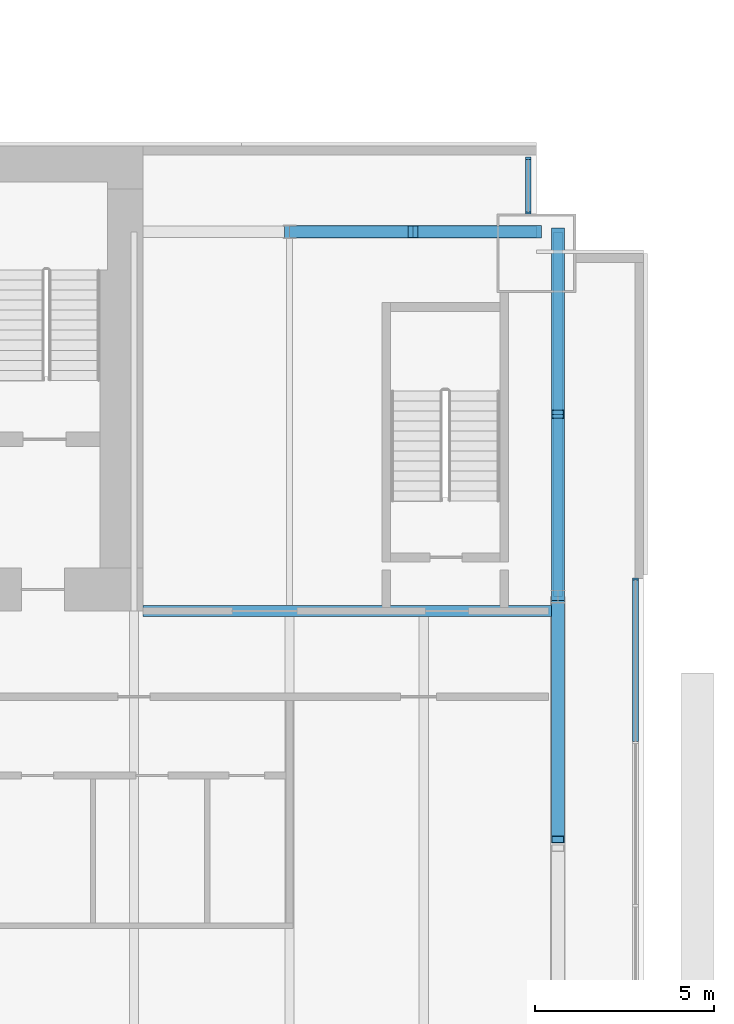
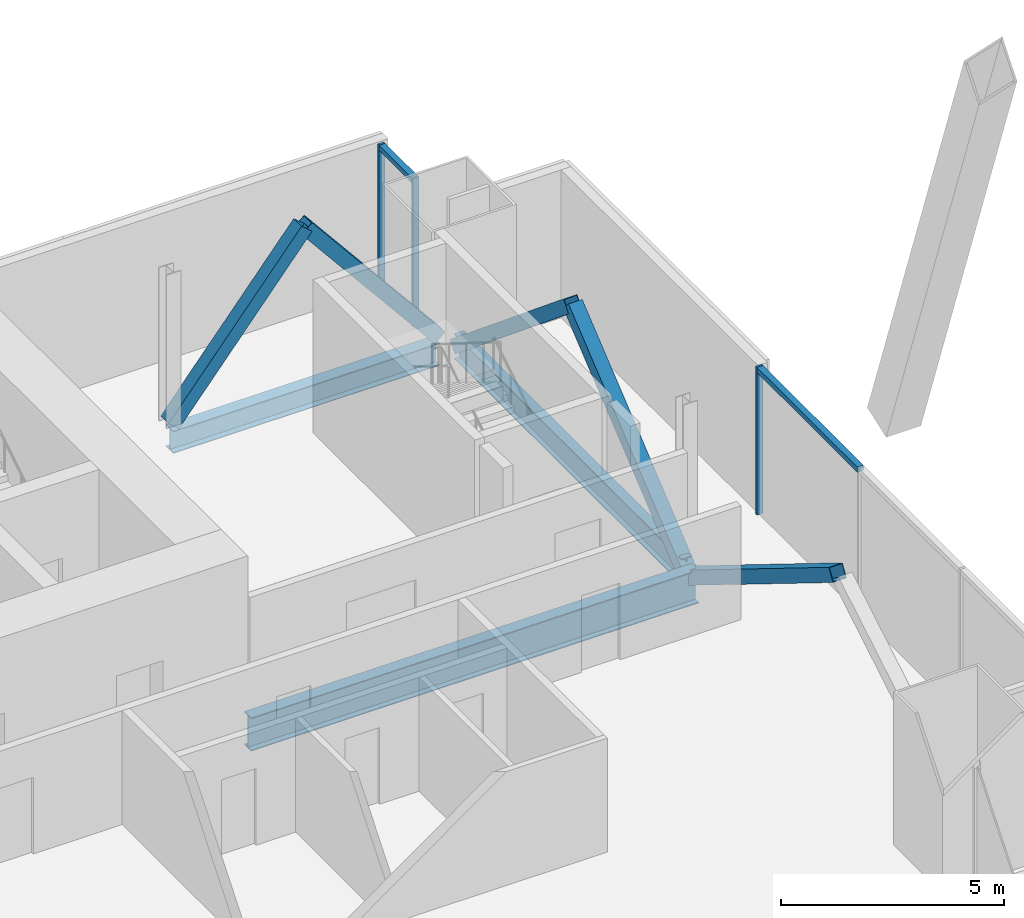
# One storey, part 15 of 23: 10 members, 3 beams, 2 elements without a shape of their own.
"""IFC4 building model written with IfcOpenShell, lengths in metres."""

from ifc_helpers import new_model, si_unit, direction, frame, origin, origin_2d, place, context, subcontext, project, spatial, rectangle, hollow_rectangle, i_section, extrude, material, material_profile, profile_set, type_object, element, aggregate, save


model = new_model("IFC4")

# Units and contexts
model_context = context("Model", 3, precision=1e-05, world=origin(), true_north=direction((0.0, 1.0)))
body_context = subcontext(model_context, "Body", "Model", "MODEL_VIEW")
ifc_project = project(units=[si_unit("LENGTHUNIT", "METRE"), si_unit("AREAUNIT", "SQUARE_METRE"), si_unit("VOLUMEUNIT", "CUBIC_METRE"), si_unit("PLANEANGLEUNIT", "RADIAN"), si_unit("MASSUNIT", "GRAM", prefix="KILO")], contexts=[model_context])

# Site, building, storey
site_placement = place(None, origin())
site = spatial("IfcSite", under=ifc_project, at=site_placement, CompositionType="ELEMENT")
building_placement = place(site_placement, origin())
building = spatial("IfcBuilding", under=site, at=building_placement, Name="Bicima Exchange Tower", CompositionType="ELEMENT")
storey_placement = place(building_placement, frame((0.0, 0.0, 262.39990234375)))
storey = spatial("IfcBuildingStorey", under=building, at=storey_placement, Name="L59", CompositionType="ELEMENT", Elevation=262.39990234375)

# Beam
ifc_material_1 = material(Name="Steel ASTM A992 Gr 50", Category="steel")
ifc_material_profile_1 = material_profile(ifc_material_1, i_section(OverallWidth=0.3046875, OverallDepth=0.911865234375, WebThickness=0.015869140625, FlangeThickness=0.02392578125, at=origin_2d()))
ifc_profile_set_1 = profile_set([ifc_material_profile_1], Name="Steel ASTM A992 Gr 50")
beam_type_1 = type_object("IfcBeamType", Name="Core-line girder W36x150", PredefinedType="BEAM", material=ifc_profile_set_1)
beam_1_placement = place(storey_placement, frame((22.0, -13.0, -0.605712890625), z_axis=(1.0, 0.0, 0.0), x_axis=(0.0, 1.0, 0.0)))
element("IfcBeam", 1, at=beam_1_placement, inside=storey, type_object=beam_type_1, Name="Core-line girder", PredefinedType="BEAM", context=body_context, shape_type="SweptSolid", body=[
    extrude(i_section(OverallWidth=0.3046875, OverallDepth=0.911865234375, WebThickness=0.015869140625, FlangeThickness=0.02392578125, at=origin_2d()), origin(), (0.0, 0.0, 1.0), 11.60009765625),
])

# Curtain wall, members
ifc_material_2 = material(Name="Anodised bronze aluminium", Category="aluminium")
curtain_wall_type_1 = type_object("IfcCurtainWallType", Name="End face glass wall", PredefinedType="NOTDEFINED", material=ifc_material_2)
curtain_wall_1_placement = place(storey_placement, origin())
curtain_wall_1 = element("IfcCurtainWall", 2, at=curtain_wall_1_placement, inside=storey, type_object=curtain_wall_type_1, Name="End face glass wall L59 run 19", PredefinedType="NOTDEFINED")
ifc_material_profile_2 = material_profile(ifc_material_2, rectangle(XDim=0.159912109375, YDim=0.06005859375, at=origin_2d()))
ifc_profile_set_2 = profile_set([ifc_material_profile_2], Name="Anodised bronze aluminium")
member_type_1 = type_object("IfcMemberType", Name="End face glass wall mullion 60 x 160", PredefinedType="MULLION", material=ifc_profile_set_2)
member_1_placement = place(storey_placement, frame((35.77001953125, -12.110107421875, 0.0), z_axis=(0.0, 0.0, 1.0), x_axis=(-1.0, 0.0, 0.0)))
member_1 = element("IfcMember", 3, at=member_1_placement, type_object=member_type_1, Name="End face glass wall mullion 4", PredefinedType="MULLION", context=body_context, shape_type="SweptSolid", body=[
    extrude(rectangle(XDim=0.159912109375, YDim=0.06005859375, at=origin_2d()), origin(), (0.0, 0.0, 1.0), 4.050048828125),
])
ifc_material_profile_3 = material_profile(ifc_material_2, rectangle(XDim=0.159912109375, YDim=0.139892578125, at=origin_2d()))
ifc_profile_set_3 = profile_set([ifc_material_profile_3], Name="Anodised bronze aluminium")
member_type_2 = type_object("IfcMemberType", Name="End face glass wall transom 140 x 160", PredefinedType="USERDEFINED", material=ifc_profile_set_3)
member_2_placement = place(storey_placement, frame((35.77001953125, -16.64599609375, 3.97998046875), z_axis=(0.0, 1.0, 0.0), x_axis=(-1.0, 0.0, 0.0)))
member_2 = element("IfcMember", 4, at=member_2_placement, type_object=member_type_2, Name="End face glass wall transom 3.1", ObjectType="TRANSOM", PredefinedType="USERDEFINED", context=body_context, shape_type="SweptSolid", body=[
    extrude(rectangle(XDim=0.159912109375, YDim=0.139892578125, at=origin_2d()), origin(), (0.0, 0.0, 1.0), 4.506103515625),
])
aggregate(curtain_wall_1, [member_1, member_2])

# Beam
ifc_material_profile_4 = material_profile(ifc_material_1, i_section(OverallWidth=0.256591796875, OverallDepth=0.693359375, WebThickness=0.014404296875, FlangeThickness=0.023681640625, at=origin_2d()))
ifc_profile_set_4 = profile_set([ifc_material_profile_4], Name="Steel ASTM A992 Gr 50")
beam_type_2 = type_object("IfcBeamType", Name="End girder W27x114", PredefinedType="BEAM", material=ifc_profile_set_4)
beam_2_placement = place(storey_placement, frame((33.60009765625, -2.39990234375, -0.49658203125), z_axis=(0.0, -1.0, 0.0), x_axis=(1.0, 0.0, 0.0)))
element("IfcBeam", 5, at=beam_2_placement, inside=storey, type_object=beam_type_2, Name="End girder", PredefinedType="BEAM", context=body_context, shape_type="SweptSolid", body=[
    extrude(i_section(OverallWidth=0.256591796875, OverallDepth=0.693359375, WebThickness=0.014404296875, FlangeThickness=0.023681640625, at=origin_2d()), origin(), (0.0, 0.0, 1.0), 10.2001953125),
])

# Curtain wall, members
curtain_wall_type_2 = type_object("IfcCurtainWallType", Name="Front glass wall", PredefinedType="NOTDEFINED", material=ifc_material_2)
curtain_wall_2_placement = place(storey_placement, origin())
curtain_wall_2 = element("IfcCurtainWall", 6, at=curtain_wall_2_placement, inside=storey, type_object=curtain_wall_type_2, Name="Front glass wall L59 run 20", PredefinedType="NOTDEFINED")
member_type_3 = type_object("IfcMemberType", Name="Front glass wall mullion 60 x 160", PredefinedType="MULLION", material=ifc_profile_set_2)
member_3_placement = place(storey_placement, frame((32.77001953125, -1.8701171875, 0.0), z_axis=(0.0, 0.0, 1.0), x_axis=(-1.0, 0.0, 0.0)))
member_3 = element("IfcMember", 7, at=member_3_placement, type_object=member_type_3, Name="Front glass wall mullion 1", PredefinedType="MULLION", context=body_context, shape_type="SweptSolid", body=[
    extrude(rectangle(XDim=0.159912109375, YDim=0.06005859375, at=origin_2d()), origin(), (0.0, 0.0, 1.0), 4.050048828125),
])
member_4_placement = place(storey_placement, frame((32.77001953125, -0.340087890625, 0.0), z_axis=(0.0, 0.0, 1.0), x_axis=(-1.0, 0.0, 0.0)))
member_4 = element("IfcMember", 8, at=member_4_placement, type_object=member_type_3, Name="Front glass wall mullion 2", PredefinedType="MULLION", context=body_context, shape_type="SweptSolid", body=[
    extrude(rectangle(XDim=0.159912109375, YDim=0.06005859375, at=origin_2d()), origin(), (0.0, 0.0, 1.0), 4.050048828125),
])
member_type_4 = type_object("IfcMemberType", Name="Front glass wall transom 140 x 160", PredefinedType="USERDEFINED", material=ifc_profile_set_3)
member_5_placement = place(storey_placement, frame((32.77001953125, -1.840087890625, 3.97998046875), z_axis=(0.0, 1.0, 0.0), x_axis=(-1.0, 0.0, 0.0)))
member_5 = element("IfcMember", 9, at=member_5_placement, type_object=member_type_4, Name="Front glass wall transom 1.1", ObjectType="TRANSOM", PredefinedType="USERDEFINED", context=body_context, shape_type="SweptSolid", body=[
    extrude(rectangle(XDim=0.159912109375, YDim=0.139892578125, at=origin_2d()), origin(), (0.0, 0.0, 1.0), 1.469970703125),
])
aggregate(curtain_wall_2, [member_3, member_4, member_5])

# Members
ifc_material_3 = material(Name="Steel ASTM A572 Gr 50", Category="steel")
ifc_material_profile_5 = material_profile(ifc_material_3, hollow_rectangle(XDim=0.355712890625, YDim=0.355712890625, WallThickness=0.0146484375, at=origin_2d()))
ifc_profile_set_5 = profile_set([ifc_material_profile_5], Name="Steel ASTM A572 Gr 50")
member_type_5 = type_object("IfcMemberType", Name="Mega brace HSS14x14x5/8", PredefinedType="BRACE", material=ifc_profile_set_5)
for number, where, z_axis, x_axis, name in (
    (10, (26.10009765625, -2.39990234375, 0.0), (0.634716434539, 0.0, 0.772745137627), (0.0, 1.0, 0.0), "Mega brace rear"),
    (11, (33.0, -2.39990234375, 0.0), (-0.634716434539, 0.0, 0.772745137627), (0.0, -1.0, 0.0), "Mega brace rear"),
):
    element("IfcMember", number, at=place(storey_placement, frame(where, z_axis=z_axis, x_axis=x_axis)), inside=storey, type_object=member_type_5, Name=name, PredefinedType="BRACE", context=body_context, shape_type="SweptSolid", body=[
        extrude(hollow_rectangle(XDim=0.355712890625, YDim=0.355712890625, WallThickness=0.0146484375, at=origin_2d()), origin(), (0.0, 0.0, 1.0), 5.435302734375),
    ])
for number, where, z_axis, x_axis, name in (
    (12, (33.60009765625, -2.39990234375, -0.49658203125), (0.0, -0.771939835586, 0.635695595576), (1.0, 0.0, 0.0), "Mega brace east end"),
    (13, (33.60009765625, -12.60009765625, -0.49658203125), (0.0, 0.771939835586, 0.635695595576), (-1.0, 0.0, 0.0), "Mega brace east end"),
):
    element("IfcMember", number, at=place(storey_placement, frame(where, z_axis=z_axis, x_axis=x_axis)), inside=storey, type_object=member_type_5, Name=name, PredefinedType="BRACE", context=body_context, shape_type="SweptSolid", body=[
        extrude(hollow_rectangle(XDim=0.355712890625, YDim=0.355712890625, WallThickness=0.0146484375, at=origin_2d()), origin(), (0.0, 0.0, 1.0), 6.60693359375),
    ])
member_6_placement = place(storey_placement, frame((33.60009765625, -12.60009765625, -0.645263671875), z_axis=(0.0, -0.850447570222, 0.526059816279), x_axis=(1.0, 0.0, 0.0)))
element("IfcMember", 14, at=member_6_placement, inside=storey, type_object=member_type_5, Name="Mega brace east end", PredefinedType="BRACE", context=body_context, shape_type="SweptSolid", body=[
    extrude(hollow_rectangle(XDim=0.355712890625, YDim=0.355712890625, WallThickness=0.0146484375, at=origin_2d()), origin(), (0.0, 0.0, 1.0), 7.98388671875),
])

# Beam
ifc_material_profile_6 = material_profile(ifc_material_1, i_section(OverallWidth=0.3251953125, OverallDepth=0.612060546875, WebThickness=0.0126953125, FlangeThickness=0.01904296875, at=origin_2d()))
ifc_profile_set_6 = profile_set([ifc_material_profile_6], Name="Steel ASTM A992 Gr 50")
beam_type_3 = type_object("IfcBeamType", Name="Rear girder W24x104", PredefinedType="BEAM", material=ifc_profile_set_6)
beam_3_placement = place(storey_placement, frame((26.10009765625, -2.39990234375, -0.4560546875), z_axis=(1.0, 0.0, 0.0), x_axis=(0.0, 1.0, 0.0)))
element("IfcBeam", 15, at=beam_3_placement, inside=storey, type_object=beam_type_3, Name="Rear girder", PredefinedType="BEAM", context=body_context, shape_type="SweptSolid", body=[
    extrude(i_section(OverallWidth=0.3251953125, OverallDepth=0.612060546875, WebThickness=0.0126953125, FlangeThickness=0.01904296875, at=origin_2d()), origin(), (0.0, 0.0, 1.0), 6.89990234375),
])

save(model, "model.ifc")
